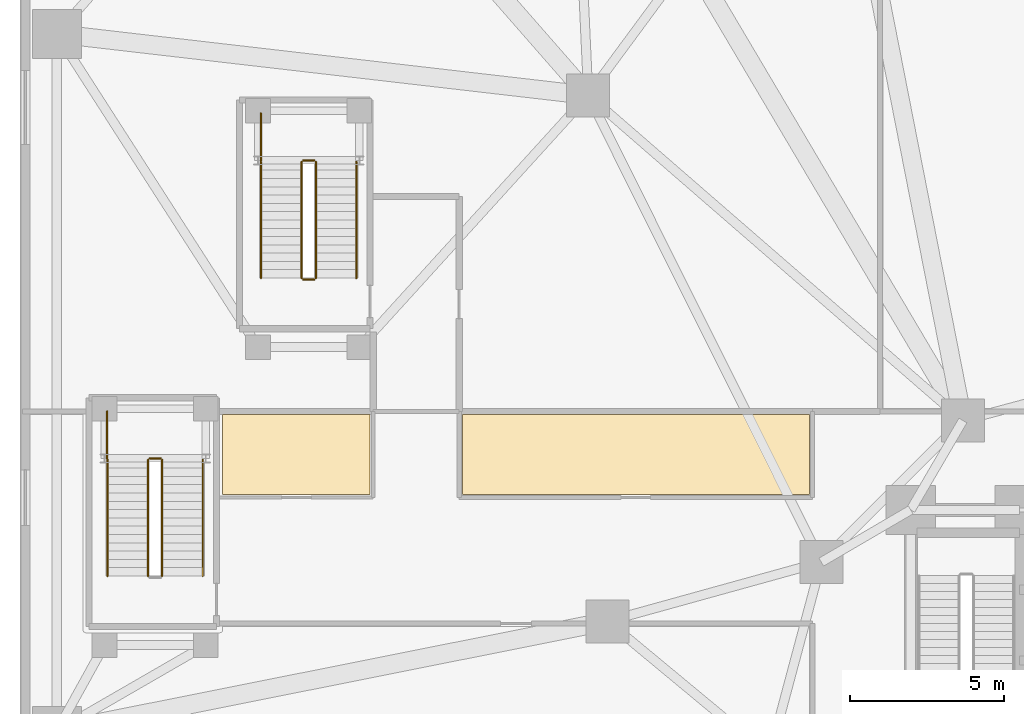
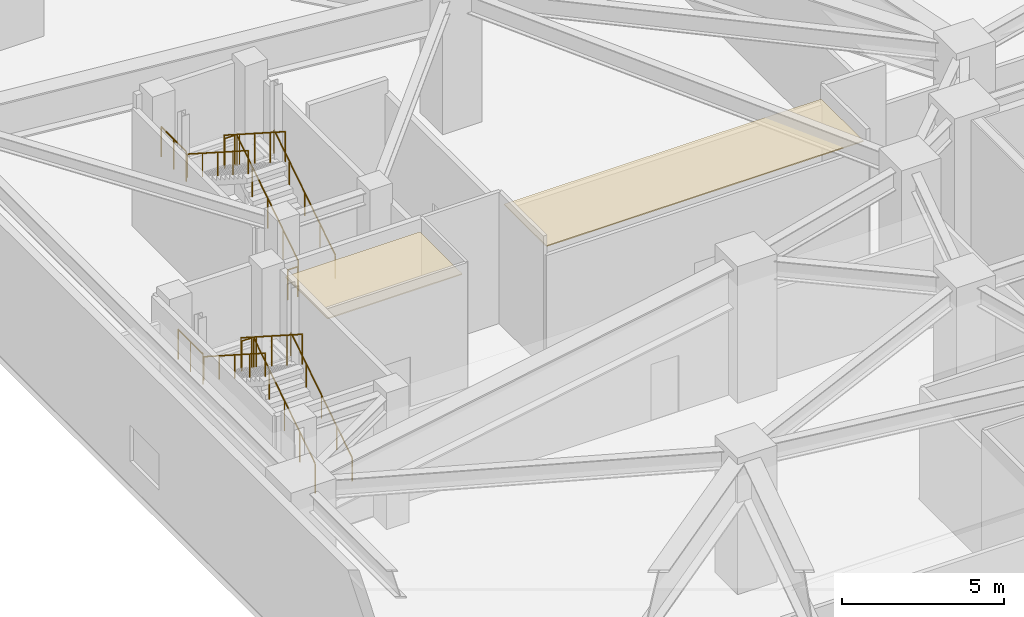
# One storey, part 26 of 28: 13 railings, 2 coverings.
"""IFC4 building model written with IfcOpenShell, lengths in metres."""

from ifc_helpers import new_model, si_unit, direction, frame, origin, origin_2d, place, context, subcontext, project, spatial, polyline, circle, outline, extrude, material, layer, layer_set, type_object, element, save


model = new_model("IFC4")

# Units and contexts
model_context = context("Model", 3, precision=1e-05, world=origin(), true_north=direction((0.0, 1.0)))
body_context = subcontext(model_context, "Body", "Model", "MODEL_VIEW")
ifc_project = project(units=[si_unit("LENGTHUNIT", "METRE"), si_unit("AREAUNIT", "SQUARE_METRE"), si_unit("VOLUMEUNIT", "CUBIC_METRE"), si_unit("PLANEANGLEUNIT", "RADIAN"), si_unit("MASSUNIT", "GRAM", prefix="KILO")], contexts=[model_context])

# Site, building, storey
site_placement = place(None, origin())
site = spatial("IfcSite", under=ifc_project, at=site_placement, CompositionType="ELEMENT")
building_placement = place(site_placement, origin())
building = spatial("IfcBuilding", under=site, at=building_placement, Name="Terralouvre Media Tower", CompositionType="ELEMENT")
storey_placement = place(building_placement, frame((0.0, 0.0, 10.39990234375)))
storey = spatial("IfcBuildingStorey", under=building, at=storey_placement, Name="L02", CompositionType="ELEMENT", Elevation=10.39990234375)

# Coverings
ifc_material_1 = material(Name="Perforated aluminium acoustic ceiling baffle", Category="aluminium")
ifc_layer_1 = layer(ifc_material_1, 0.0400390625, Name="Perforated Acoustic Metal Tile Ceiling CL-AC1")
ifc_layer_set_1 = layer_set([ifc_layer_1], Name="Perforated aluminium acoustic ceiling baffle")
covering_type = type_object("IfcCoveringType", Name="Perforated Acoustic Metal Tile Ceiling CL-AC1", PredefinedType="CEILING", material=ifc_layer_set_1)
covering_1_placement = place(storey_placement, frame((0.0, 0.0, 4.43017578125)))
element("IfcCovering", 1, at=covering_1_placement, inside=storey, type_object=covering_type, Name="L02 L02 Post-Production Open Office 12 Acoustic Ceiling", PredefinedType="CEILING", context=body_context, shape_type="SweptSolid", body=[
    extrude(outline(polyline([(-22.60009765625, 8.5), (-11.300048828125, 8.5), (-11.300048828125, 11.10009765625), (-22.60009765625, 11.10009765625), (-22.60009765625, 8.5)])), origin(), (0.0, 0.0, 1.0), 0.0400390625),
])
covering_2_placement = place(storey_placement, frame((0.0, 0.0, 4.43017578125)))
element("IfcCovering", 2, at=covering_2_placement, inside=storey, type_object=covering_type, Name="L02 L02 Technical Schedule Conference Room 13 Acoustic Ceiling", PredefinedType="CEILING", context=body_context, shape_type="SweptSolid", body=[
    extrude(outline(polyline([(-25.60009765625, 11.10009765625), (-30.39990234375, 11.10009765625), (-30.39990234375, 8.5), (-25.60009765625, 8.5), (-25.60009765625, 11.10009765625)])), origin(), (0.0, 0.0, 1.0), 0.0400390625),
])

# Railings
ifc_material_2 = material(Name="Stainless steel 316 handrail and balustrade", Category="steel")
ifc_layer_2 = layer(ifc_material_2, 0.050048828125, Name="Stair Flight Wall Handrail HR-INT1")
ifc_layer_set_2 = layer_set([ifc_layer_2], Name="Stainless steel 316 handrail and balustrade")
railing_type_1 = type_object("IfcRailingType", Name="Stair Flight Wall Handrail HR-INT1", PredefinedType="HANDRAIL", material=ifc_layer_set_2)
railing_1_placement = place(storey_placement, frame((-31.050048828125, 5.85009765625, 0.17333984375)))
element("IfcRailing", 3, at=railing_1_placement, inside=storey, type_object=railing_type_1, Name="L02 ST-03 stair handrail 1", PredefinedType="HANDRAIL", context=body_context, shape_type="SweptSolid", body=[
    extrude(circle(Radius=0.02392578125, at=origin_2d()), frame((0.0, 0.0, 0.8759765625), z_axis=(0.0, 0.841492677865, 0.540268519441), x_axis=(-1.0, 0.0, 0.0)), (0.0, 0.0, 1.0), 4.49169921875),
    extrude(circle(Radius=0.02099609375, at=origin_2d()), origin(), (0.0, 0.0, 1.0), 0.851806640625),
    extrude(circle(Radius=0.02099609375, at=origin_2d()), frame((0.0, 0.94482421875, 0.606689453125)), (0.0, 0.0, 1.0), 0.851806640625),
    extrude(circle(Radius=0.02099609375, at=origin_2d()), frame((0.0, 1.889892578125, 1.21337890625)), (0.0, 0.0, 1.0), 0.851806640625),
    extrude(circle(Radius=0.02099609375, at=origin_2d()), frame((0.0, 2.8349609375, 1.820068359375)), (0.0, 0.0, 1.0), 0.851806640625),
    extrude(circle(Radius=0.02099609375, at=origin_2d()), frame((0.0, 3.77978515625, 2.4267578125)), (0.0, 0.0, 1.0), 0.851806640625),
])
railing_2_placement = place(storey_placement, frame((-34.14990234375, 9.6298828125, 2.7734375)))
element("IfcRailing", 4, at=railing_2_placement, inside=storey, type_object=railing_type_1, Name="L02 ST-03 stair handrail 2", PredefinedType="HANDRAIL", context=body_context, shape_type="SweptSolid", body=[
    extrude(circle(Radius=0.02392578125, at=origin_2d()), frame((0.0, 0.0, 0.8759765625), z_axis=(0.0, -0.841492677865, 0.540268519441), x_axis=(1.0, 0.0, 0.0)), (0.0, 0.0, 1.0), 4.49169921875),
    extrude(circle(Radius=0.02099609375, at=origin_2d()), origin(), (0.0, 0.0, 1.0), 0.851806640625),
    extrude(circle(Radius=0.02099609375, at=origin_2d()), frame((0.0, -0.94482421875, 0.606689453125)), (0.0, 0.0, 1.0), 0.851806640625),
    extrude(circle(Radius=0.02099609375, at=origin_2d()), frame((0.0, -1.889892578125, 1.21337890625)), (0.0, 0.0, 1.0), 0.851806640625),
    extrude(circle(Radius=0.02099609375, at=origin_2d()), frame((0.0, -2.8349609375, 1.820068359375)), (0.0, 0.0, 1.0), 0.851806640625),
    extrude(circle(Radius=0.02099609375, at=origin_2d()), frame((0.0, -3.77978515625, 2.4267578125)), (0.0, 0.0, 1.0), 0.851806640625),
])
railing_3_placement = place(storey_placement, frame((-26.050048828125, 15.550048828125, 0.17333984375)))
element("IfcRailing", 5, at=railing_3_placement, inside=storey, type_object=railing_type_1, Name="L02 ST-06 stair handrail 1", PredefinedType="HANDRAIL", context=body_context, shape_type="SweptSolid", body=[
    extrude(circle(Radius=0.02392578125, at=origin_2d()), frame((0.0, 0.0, 0.8759765625), z_axis=(0.0, 0.841508541869, 0.540243809739), x_axis=(-1.0, 0.0, 0.0)), (0.0, 0.0, 1.0), 4.491943359375),
    extrude(circle(Radius=0.02099609375, at=origin_2d()), origin(), (0.0, 0.0, 1.0), 0.851806640625),
    extrude(circle(Radius=0.02099609375, at=origin_2d()), frame((0.0, 0.945068359375, 0.606689453125)), (0.0, 0.0, 1.0), 0.851806640625),
    extrude(circle(Radius=0.02099609375, at=origin_2d()), frame((0.0, 1.89013671875, 1.21337890625)), (0.0, 0.0, 1.0), 0.851806640625),
    extrude(circle(Radius=0.02099609375, at=origin_2d()), frame((0.0, 2.8349609375, 1.820068359375)), (0.0, 0.0, 1.0), 0.851806640625),
    extrude(circle(Radius=0.02099609375, at=origin_2d()), frame((0.0, 3.780029296875, 2.4267578125)), (0.0, 0.0, 1.0), 0.851806640625),
])
railing_4_placement = place(storey_placement, frame((-29.14990234375, 19.330078125, 2.7734375)))
element("IfcRailing", 6, at=railing_4_placement, inside=storey, type_object=railing_type_1, Name="L02 ST-06 stair handrail 2", PredefinedType="HANDRAIL", context=body_context, shape_type="SweptSolid", body=[
    extrude(circle(Radius=0.02392578125, at=origin_2d()), frame((0.0, 0.0, 0.8759765625), z_axis=(0.0, -0.841508541869, 0.540243809739), x_axis=(1.0, 0.0, 0.0)), (0.0, 0.0, 1.0), 4.491943359375),
    extrude(circle(Radius=0.02099609375, at=origin_2d()), origin(), (0.0, 0.0, 1.0), 0.851806640625),
    extrude(circle(Radius=0.02099609375, at=origin_2d()), frame((0.0, -0.945068359375, 0.606689453125)), (0.0, 0.0, 1.0), 0.851806640625),
    extrude(circle(Radius=0.02099609375, at=origin_2d()), frame((0.0, -1.89013671875, 1.21337890625)), (0.0, 0.0, 1.0), 0.851806640625),
    extrude(circle(Radius=0.02099609375, at=origin_2d()), frame((0.0, -2.8349609375, 1.820068359375)), (0.0, 0.0, 1.0), 0.851806640625),
    extrude(circle(Radius=0.02099609375, at=origin_2d()), frame((0.0, -3.780029296875, 2.4267578125)), (0.0, 0.0, 1.0), 0.851806640625),
])
ifc_material_3 = material(Name="Stainless steel 316 handrail and balustrade", Category="steel")
ifc_layer_3 = layer(ifc_material_3, 0.050048828125, Name="Stairwell Safety Guardrail GR-INT1")
ifc_layer_set_3 = layer_set([ifc_layer_3], Name="Stainless steel 316 handrail and balustrade")
railing_type_2 = type_object("IfcRailingType", Name="Stairwell Safety Guardrail GR-INT1", PredefinedType="GUARDRAIL", material=ifc_layer_set_3)
railing_5_placement = place(storey_placement, frame((-32.3701171875, 5.85009765625, 0.17333984375)))
element("IfcRailing", 7, at=railing_5_placement, inside=storey, type_object=railing_type_2, Name="L02 ST-03 stair guard 1", PredefinedType="GUARDRAIL", context=body_context, shape_type="SweptSolid", body=[
    extrude(circle(Radius=0.02392578125, at=origin_2d()), frame((0.0, 0.0, 1.1259765625), z_axis=(0.0, 0.841492677865, 0.540268519441), x_axis=(-1.0, 0.0, 0.0)), (0.0, 0.0, 1.0), 4.49169921875),
    extrude(circle(Radius=0.02099609375, at=origin_2d()), origin(), (0.0, 0.0, 1.0), 1.101806640625),
    extrude(circle(Radius=0.02099609375, at=origin_2d()), frame((0.0, 0.94482421875, 0.606689453125)), (0.0, 0.0, 1.0), 1.101806640625),
    extrude(circle(Radius=0.02099609375, at=origin_2d()), frame((0.0, 1.889892578125, 1.21337890625)), (0.0, 0.0, 1.0), 1.101806640625),
    extrude(circle(Radius=0.02099609375, at=origin_2d()), frame((0.0, 2.8349609375, 1.820068359375)), (0.0, 0.0, 1.0), 1.101806640625),
    extrude(circle(Radius=0.02099609375, at=origin_2d()), frame((0.0, 3.77978515625, 2.4267578125)), (0.0, 0.0, 1.0), 1.101806640625),
])
railing_6_placement = place(storey_placement, frame((-32.419921875, 9.679931640625, 2.60009765625)))
element("IfcRailing", 8, at=railing_6_placement, inside=storey, type_object=railing_type_2, Name="L02 ST-03 stair guard 2", PredefinedType="GUARDRAIL", context=body_context, shape_type="SweptSolid", body=[
    extrude(circle(Radius=0.02392578125, at=origin_2d()), frame((0.0, 0.0, 1.1259765625), z_axis=(-1.0, 0.0, 0.0), x_axis=(0.0, -1.0, 0.0)), (0.0, 0.0, 1.0), 0.360107421875),
    extrude(circle(Radius=0.02099609375, at=origin_2d()), origin(), (0.0, 0.0, 1.0), 1.101806640625),
    extrude(circle(Radius=0.02099609375, at=origin_2d()), frame((-0.360107421875, 0.0, 0.0)), (0.0, 0.0, 1.0), 1.101806640625),
])
railing_7_placement = place(storey_placement, frame((-32.830078125, 9.6298828125, 2.7734375)))
element("IfcRailing", 9, at=railing_7_placement, inside=storey, type_object=railing_type_2, Name="L02 ST-03 stair guard 3", PredefinedType="GUARDRAIL", context=body_context, shape_type="SweptSolid", body=[
    extrude(circle(Radius=0.02392578125, at=origin_2d()), frame((0.0, 0.0, 1.1259765625), z_axis=(0.0, -0.841492677865, 0.540268519441), x_axis=(1.0, 0.0, 0.0)), (0.0, 0.0, 1.0), 4.49169921875),
    extrude(circle(Radius=0.02099609375, at=origin_2d()), origin(), (0.0, 0.0, 1.0), 1.101806640625),
    extrude(circle(Radius=0.02099609375, at=origin_2d()), frame((0.0, -0.94482421875, 0.606689453125)), (0.0, 0.0, 1.0), 1.101806640625),
    extrude(circle(Radius=0.02099609375, at=origin_2d()), frame((0.0, -1.889892578125, 1.21337890625)), (0.0, 0.0, 1.0), 1.101806640625),
    extrude(circle(Radius=0.02099609375, at=origin_2d()), frame((0.0, -2.8349609375, 1.820068359375)), (0.0, 0.0, 1.0), 1.101806640625),
    extrude(circle(Radius=0.02099609375, at=origin_2d()), frame((0.0, -3.77978515625, 2.4267578125)), (0.0, 0.0, 1.0), 1.101806640625),
])
railing_8_placement = place(storey_placement, frame((-27.3701171875, 15.550048828125, 0.17333984375)))
element("IfcRailing", 10, at=railing_8_placement, inside=storey, type_object=railing_type_2, Name="L02 ST-06 stair guard 1", PredefinedType="GUARDRAIL", context=body_context, shape_type="SweptSolid", body=[
    extrude(circle(Radius=0.02392578125, at=origin_2d()), frame((0.0, 0.0, 1.1259765625), z_axis=(0.0, 0.841508541869, 0.540243809739), x_axis=(-1.0, 0.0, 0.0)), (0.0, 0.0, 1.0), 4.491943359375),
    extrude(circle(Radius=0.02099609375, at=origin_2d()), origin(), (0.0, 0.0, 1.0), 1.101806640625),
    extrude(circle(Radius=0.02099609375, at=origin_2d()), frame((0.0, 0.945068359375, 0.606689453125)), (0.0, 0.0, 1.0), 1.101806640625),
    extrude(circle(Radius=0.02099609375, at=origin_2d()), frame((0.0, 1.89013671875, 1.21337890625)), (0.0, 0.0, 1.0), 1.101806640625),
    extrude(circle(Radius=0.02099609375, at=origin_2d()), frame((0.0, 2.8349609375, 1.820068359375)), (0.0, 0.0, 1.0), 1.101806640625),
    extrude(circle(Radius=0.02099609375, at=origin_2d()), frame((0.0, 3.780029296875, 2.4267578125)), (0.0, 0.0, 1.0), 1.101806640625),
])
railing_9_placement = place(storey_placement, frame((-27.419921875, 19.3798828125, 2.60009765625)))
element("IfcRailing", 11, at=railing_9_placement, inside=storey, type_object=railing_type_2, Name="L02 ST-06 stair guard 2", PredefinedType="GUARDRAIL", context=body_context, shape_type="SweptSolid", body=[
    extrude(circle(Radius=0.02392578125, at=origin_2d()), frame((0.0, 0.0, 1.1259765625), z_axis=(-1.0, 0.0, 0.0), x_axis=(0.0, -1.0, 0.0)), (0.0, 0.0, 1.0), 0.360107421875),
    extrude(circle(Radius=0.02099609375, at=origin_2d()), origin(), (0.0, 0.0, 1.0), 1.101806640625),
    extrude(circle(Radius=0.02099609375, at=origin_2d()), frame((-0.360107421875, 0.0, 0.0)), (0.0, 0.0, 1.0), 1.101806640625),
])
railing_10_placement = place(storey_placement, frame((-27.830078125, 19.330078125, 2.7734375)))
element("IfcRailing", 12, at=railing_10_placement, inside=storey, type_object=railing_type_2, Name="L02 ST-06 stair guard 3", PredefinedType="GUARDRAIL", context=body_context, shape_type="SweptSolid", body=[
    extrude(circle(Radius=0.02392578125, at=origin_2d()), frame((0.0, 0.0, 1.1259765625), z_axis=(0.0, -0.841508541869, 0.540243809739), x_axis=(1.0, 0.0, 0.0)), (0.0, 0.0, 1.0), 4.491943359375),
    extrude(circle(Radius=0.02099609375, at=origin_2d()), origin(), (0.0, 0.0, 1.0), 1.101806640625),
    extrude(circle(Radius=0.02099609375, at=origin_2d()), frame((0.0, -0.945068359375, 0.606689453125)), (0.0, 0.0, 1.0), 1.101806640625),
    extrude(circle(Radius=0.02099609375, at=origin_2d()), frame((0.0, -1.89013671875, 1.21337890625)), (0.0, 0.0, 1.0), 1.101806640625),
    extrude(circle(Radius=0.02099609375, at=origin_2d()), frame((0.0, -2.8349609375, 1.820068359375)), (0.0, 0.0, 1.0), 1.101806640625),
    extrude(circle(Radius=0.02099609375, at=origin_2d()), frame((0.0, -3.780029296875, 2.4267578125)), (0.0, 0.0, 1.0), 1.101806640625),
])
railing_11_placement = place(storey_placement, frame((-27.419921875, 15.5, 0.0)))
element("IfcRailing", 13, at=railing_11_placement, inside=storey, type_object=railing_type_2, Name="L02 ST-06 stair guard 4", PredefinedType="GUARDRAIL", context=body_context, shape_type="SweptSolid", body=[
    extrude(circle(Radius=0.02392578125, at=origin_2d()), frame((0.0, 0.0, 1.1259765625), z_axis=(-1.0, 0.0, 0.0), x_axis=(0.0, -1.0, 0.0)), (0.0, 0.0, 1.0), 0.360107421875),
    extrude(circle(Radius=0.02099609375, at=origin_2d()), origin(), (0.0, 0.0, 1.0), 1.101806640625),
    extrude(circle(Radius=0.02099609375, at=origin_2d()), frame((-0.360107421875, 0.0, 0.0)), (0.0, 0.0, 1.0), 1.101806640625),
])
railing_12_placement = place(storey_placement, frame((-34.159912109375, 9.669921875, 2.60009765625)))
element("IfcRailing", 14, at=railing_12_placement, inside=storey, type_object=railing_type_2, Name="L02 ST-03 Half-Landing Outer Guardrail", PredefinedType="GUARDRAIL", context=body_context, shape_type="SweptSolid", body=[
    extrude(circle(Radius=0.02392578125, at=origin_2d()), frame((0.0, 0.0, 1.1259765625), z_axis=(0.0, 1.0, 0.0), x_axis=(-1.0, 0.0, 0.0)), (0.0, 0.0, 1.0), 1.5400390625),
    extrude(circle(Radius=0.02099609375, at=origin_2d()), origin(), (0.0, 0.0, 1.0), 1.101806640625),
    extrude(circle(Radius=0.02099609375, at=origin_2d()), frame((0.0, 0.77001953125, 0.0)), (0.0, 0.0, 1.0), 1.101806640625),
    extrude(circle(Radius=0.02099609375, at=origin_2d()), frame((0.0, 1.5400390625, 0.0)), (0.0, 0.0, 1.0), 1.101806640625),
])
railing_13_placement = place(storey_placement, frame((-29.159912109375, 19.3701171875, 2.60009765625)))
element("IfcRailing", 15, at=railing_13_placement, inside=storey, type_object=railing_type_2, Name="L02 ST-06 Half-Landing Outer Guardrail", PredefinedType="GUARDRAIL", context=body_context, shape_type="SweptSolid", body=[
    extrude(circle(Radius=0.02392578125, at=origin_2d()), frame((0.0, 0.0, 1.1259765625), z_axis=(0.0, 1.0, 0.0), x_axis=(-1.0, 0.0, 0.0)), (0.0, 0.0, 1.0), 1.539794921875),
    extrude(circle(Radius=0.02099609375, at=origin_2d()), origin(), (0.0, 0.0, 1.0), 1.101806640625),
    extrude(circle(Radius=0.02099609375, at=origin_2d()), frame((0.0, 0.77001953125, 0.0)), (0.0, 0.0, 1.0), 1.101806640625),
    extrude(circle(Radius=0.02099609375, at=origin_2d()), frame((0.0, 1.539794921875, 0.0)), (0.0, 0.0, 1.0), 1.101806640625),
])

save(model, "model.ifc")
